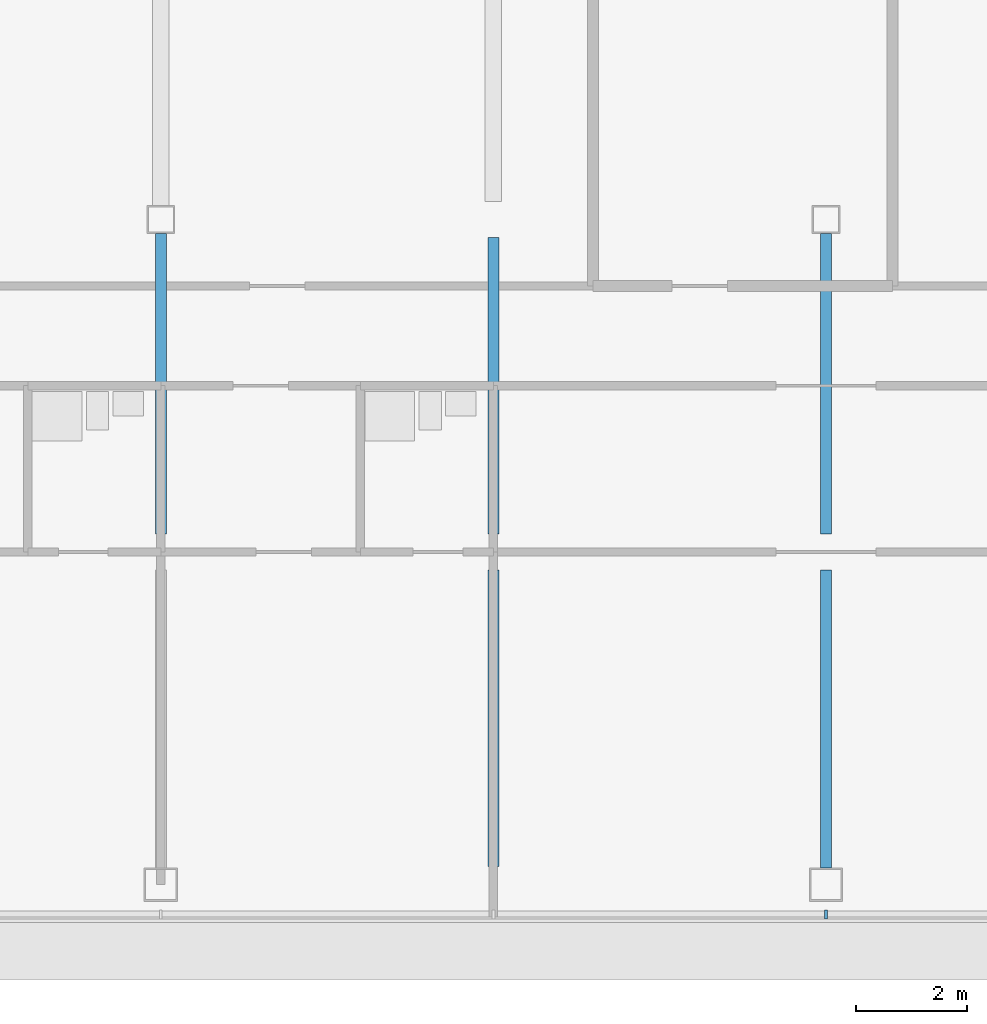
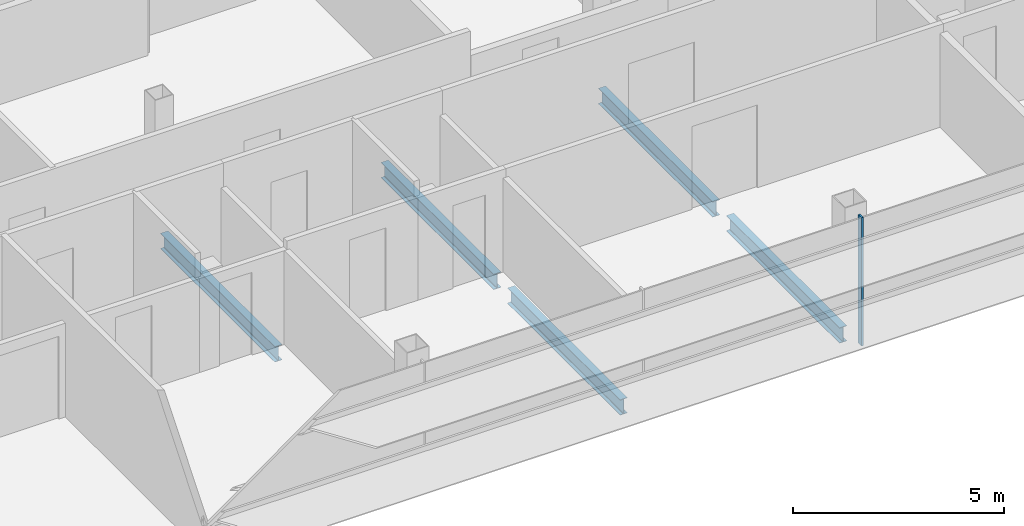
# One storey, part 4 of 28: 5 beams, 1 member, 1 element without a shape of its own.
"""IFC4 building model written with IfcOpenShell, lengths in metres."""

from ifc_helpers import new_model, si_unit, direction, frame, origin, origin_2d, place, context, subcontext, project, spatial, rectangle, i_section, extrude, material, material_profile, profile_set, type_object, element, aggregate, save


model = new_model("IFC4")

# Units and contexts
model_context = context("Model", 3, precision=1e-05, world=origin(), true_north=direction((0.0, 1.0)))
body_context = subcontext(model_context, "Body", "Model", "MODEL_VIEW")
ifc_project = project(units=[si_unit("LENGTHUNIT", "METRE"), si_unit("AREAUNIT", "SQUARE_METRE"), si_unit("VOLUMEUNIT", "CUBIC_METRE"), si_unit("PLANEANGLEUNIT", "RADIAN"), si_unit("MASSUNIT", "GRAM", prefix="KILO")], contexts=[model_context])

# Site, building, storey
site_placement = place(None, origin())
site = spatial("IfcSite", under=ifc_project, at=site_placement, CompositionType="ELEMENT")
building_placement = place(site_placement, origin())
building = spatial("IfcBuilding", under=site, at=building_placement, Name="Sorahane Residences", CompositionType="ELEMENT")
storey_placement = place(building_placement, frame((0.0, 0.0, 290.800048828125)))
storey = spatial("IfcBuildingStorey", under=building, at=storey_placement, Name="L68", CompositionType="ELEMENT", Elevation=290.800048828125)

# Curtain wall, member
ifc_material_1 = material(Name="Dark low-e glass and black anodised aluminium", Category="aluminium")
curtain_wall_type = type_object("IfcCurtainWallType", Name="Curtain wall CW-1 Typical unitised wall", PredefinedType="NOTDEFINED", material=ifc_material_1)
curtain_wall_placement = place(storey_placement, origin())
curtain_wall = element("IfcCurtainWall", 1, at=curtain_wall_placement, inside=storey, type_object=curtain_wall_type, Name="CW-1 curtain wall L68 S1", PredefinedType="NOTDEFINED")
ifc_material_2 = material(Name="Black anodised aluminium", Category="aluminium")
ifc_material_profile_1 = material_profile(ifc_material_2, rectangle(XDim=0.159912109375, YDim=0.050048828125, at=origin_2d()), Name="Curtain wall mullion CW-1 black anodised aluminium 50x160")
ifc_profile_set_1 = profile_set([ifc_material_profile_1], Name="Black anodised aluminium")
member_type = type_object("IfcMemberType", Name="Curtain wall mullion CW-1 black anodised aluminium 50x160", PredefinedType="MULLION", material=ifc_profile_set_1)
member_placement = place(storey_placement, frame((12.0, -0.5400390625, -0.300048828125), z_axis=(0.0, 0.0, 1.0), x_axis=(0.0, -1.0, 0.0)))
member = element("IfcMember", 2, at=member_placement, type_object=member_type, Name="CW-1 mullion L68 S1.5", PredefinedType="MULLION", context=body_context, shape_type="SweptSolid", body=[
    extrude(rectangle(XDim=0.159912109375, YDim=0.050048828125, at=origin_2d()), origin(), (0.0, 0.0, 1.0), 3.719970703125),
])
aggregate(curtain_wall, [member])

# Beams
ifc_material_3 = material(Name="Steel Q355B", Category="steel")
ifc_material_profile_2 = material_profile(ifc_material_3, i_section(OverallWidth=0.199951171875, OverallDepth=0.449951171875, WebThickness=0.009033203125, FlangeThickness=0.013916015625, FilletRadius=0.02001953125, at=origin_2d()), Name="HN 450x200x9x14")
ifc_profile_set_2 = profile_set([ifc_material_profile_2], Name="Steel Q355B")
beam_type = type_object("IfcBeamType", Name="Steel floor beam HN 450x200x9x14 Q355B", PredefinedType="BEAM", material=ifc_profile_set_2)
beam_1_placement = place(storey_placement, frame((0.0, 6.324951171875, -0.525146484375), z_axis=(0.0, 1.0, 0.0), x_axis=(-1.0, 0.0, 0.0)))
element("IfcBeam", 3, at=beam_1_placement, inside=storey, type_object=beam_type, Name="Beam L68 011", PredefinedType="BEAM", context=body_context, shape_type="SweptSolid", body=[
    extrude(i_section(OverallWidth=0.199951171875, OverallDepth=0.449951171875, WebThickness=0.009033203125, FlangeThickness=0.013916015625, FilletRadius=0.02001953125, at=origin_2d()), origin(), (0.0, 0.0, 1.0), 5.425048828125),
])
for number, where, z_axis, x_axis, name in (
    (4, (6.0, 0.324951171875, -0.525146484375), (0.0, 1.0, 0.0), (-1.0, 0.0, 0.0), "Beam L68 015"),
    (5, (6.0, 6.324951171875, -0.525146484375), (0.0, 1.0, 0.0), (-1.0, 0.0, 0.0), "Beam L68 016"),
):
    element("IfcBeam", number, at=place(storey_placement, frame(where, z_axis=z_axis, x_axis=x_axis)), inside=storey, type_object=beam_type, Name=name, PredefinedType="BEAM", context=body_context, shape_type="SweptSolid", body=[
        extrude(i_section(OverallWidth=0.199951171875, OverallDepth=0.449951171875, WebThickness=0.009033203125, FlangeThickness=0.013916015625, FilletRadius=0.02001953125, at=origin_2d()), origin(), (0.0, 0.0, 1.0), 5.35009765625),
    ])
beam_2_placement = place(storey_placement, frame((12.0, 0.300048828125, -0.525146484375), z_axis=(0.0, 1.0, 0.0), x_axis=(-1.0, 0.0, 0.0)))
element("IfcBeam", 6, at=beam_2_placement, inside=storey, type_object=beam_type, Name="Beam L68 022", PredefinedType="BEAM", context=body_context, shape_type="SweptSolid", body=[
    extrude(i_section(OverallWidth=0.199951171875, OverallDepth=0.449951171875, WebThickness=0.009033203125, FlangeThickness=0.013916015625, FilletRadius=0.02001953125, at=origin_2d()), origin(), (0.0, 0.0, 1.0), 5.375),
])
beam_3_placement = place(storey_placement, frame((12.0, 6.324951171875, -0.525146484375), z_axis=(0.0, 1.0, 0.0), x_axis=(-1.0, 0.0, 0.0)))
element("IfcBeam", 7, at=beam_3_placement, inside=storey, type_object=beam_type, Name="Beam L68 023", PredefinedType="BEAM", context=body_context, shape_type="SweptSolid", body=[
    extrude(i_section(OverallWidth=0.199951171875, OverallDepth=0.449951171875, WebThickness=0.009033203125, FlangeThickness=0.013916015625, FilletRadius=0.02001953125, at=origin_2d()), origin(), (0.0, 0.0, 1.0), 5.425048828125),
])

save(model, "model.ifc")
